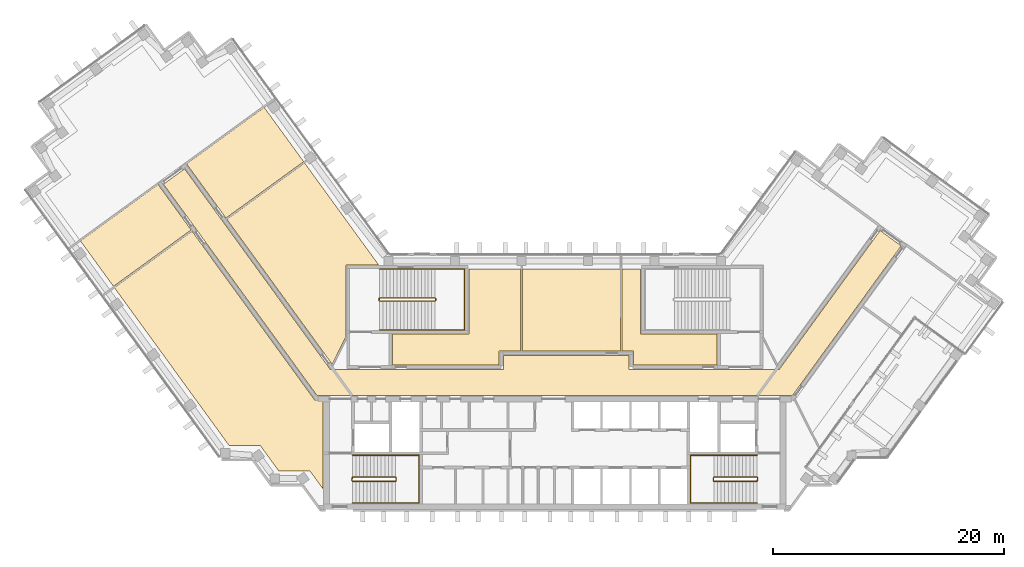
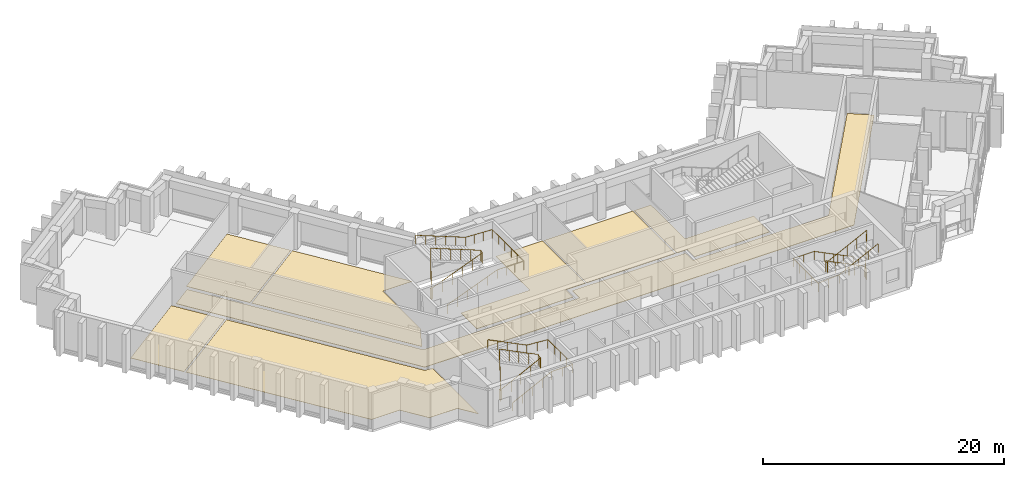
# One storey, part 9 of 10: 8 coverings, 6 railings.
"""IFC4 building model written with IfcOpenShell, lengths in metres."""

from ifc_helpers import new_model, si_unit, direction, frame, origin, origin_2d, place, context, subcontext, project, spatial, polyline, circle, outline, extrude, material, layer, layer_set, type_object, element, save


model = new_model("IFC4")

# Units and contexts
model_context = context("Model", 3, precision=1e-05, world=origin(), true_north=direction((0.0, 1.0)))
body_context = subcontext(model_context, "Body", "Model", "MODEL_VIEW")
ifc_project = project(units=[si_unit("LENGTHUNIT", "METRE"), si_unit("AREAUNIT", "SQUARE_METRE"), si_unit("VOLUMEUNIT", "CUBIC_METRE"), si_unit("PLANEANGLEUNIT", "RADIAN"), si_unit("MASSUNIT", "GRAM", prefix="KILO")], contexts=[model_context])

# Site, building, storey
site_placement = place(None, origin())
site = spatial("IfcSite", under=ifc_project, at=site_placement, CompositionType="ELEMENT")
building_placement = place(site_placement, origin())
building = spatial("IfcBuilding", under=site, at=building_placement, Name="Quipu Civic Tower", CompositionType="ELEMENT")
storey_placement = place(building_placement, frame((0.0, 0.0, 206.0)))
storey = spatial("IfcBuildingStorey", under=building, at=storey_placement, Name="L48", CompositionType="ELEMENT", Elevation=206.0)

# Coverings
ifc_material_1 = material(Name="Carpet tile on raised access floor")
ifc_layer_1 = layer(ifc_material_1, 0.02001953125)
ifc_layer_set_1 = layer_set([ifc_layer_1], Name="Carpet tile on raised access floor")
covering_type_1 = type_object("IfcCoveringType", Name="Carpet tile floor finish 20", PredefinedType="FLOORING", material=ifc_layer_set_1)
covering_1_placement = place(storey_placement, origin())
element("IfcCovering", 1, at=covering_1_placement, inside=storey, type_object=covering_type_1, Name="Carpet tile floor finish 20", PredefinedType="FLOORING", context=body_context, shape_type="SweptSolid", body=[
    extrude(outline(polyline([(-2.80908203125, 2.719970703125), (-2.80908203125, 9.830078125), (5.68798828125, 9.830078125), (5.68798828125, 2.719970703125), (-2.80908203125, 2.719970703125)])), origin(), (0.0, 0.0, 1.0), 0.02001953125),
])
covering_2_placement = place(storey_placement, origin())
element("IfcCovering", 2, at=covering_2_placement, inside=storey, type_object=covering_type_1, Name="Carpet tile floor finish 20", PredefinedType="FLOORING", context=body_context, shape_type="SweptSolid", body=[
    extrude(outline(polyline([(-28.37109375, 14.10888671875), (-21.64794921875, 18.992919921875), (-15.238037109375, 10.169921875), (-18.070068359375, 10.1689453125), (-18.070068359375, 3.94189453125), (-19.27197265625, 1.583984375), (-28.37109375, 14.10888671875)])), origin(), (0.0, 0.0, 1.0), 0.02001953125),
])
covering_3_placement = place(storey_placement, origin())
element("IfcCovering", 3, at=covering_3_placement, inside=storey, type_object=covering_type_1, Name="Carpet tile floor finish 20", PredefinedType="FLOORING", context=body_context, shape_type="SweptSolid", body=[
    extrude(outline(polyline([(-31.865966796875, 18.9189453125), (-25.14306640625, 23.802978515625), (-21.73095703125, 19.10595703125), (-28.4541015625, 14.221923828125), (-31.865966796875, 18.9189453125)])), origin(), (0.0, 0.0, 1.0), 0.02001953125),
])
covering_4_placement = place(storey_placement, origin())
element("IfcCovering", 4, at=covering_4_placement, inside=storey, type_object=covering_type_1, Name="Carpet tile floor finish 20", PredefinedType="FLOORING", context=body_context, shape_type="SweptSolid", body=[
    extrude(outline(polyline([(-38.10693359375, 8.198974609375), (-31.383056640625, 13.08203125), (-20.77490234375, -1.51904296875), (-20.070068359375, -1.52001953125), (-20.070068359375, -9.195068359375), (-21.196044921875, -7.64599609375), (-23.89501953125, -7.64599609375), (-25.48193359375, -5.4619140625), (-28.181884765625, -5.4609375), (-38.10693359375, 8.198974609375)])), origin(), (0.0, 0.0, 1.0), 0.02001953125),
])
covering_5_placement = place(storey_placement, origin())
element("IfcCovering", 5, at=covering_5_placement, inside=storey, type_object=covering_type_1, Name="Carpet tile floor finish 20", PredefinedType="FLOORING", context=body_context, shape_type="SweptSolid", body=[
    extrude(outline(polyline([(-41.048095703125, 12.2470703125), (-34.324951171875, 17.131103515625), (-31.466064453125, 13.195068359375), (-38.18994140625, 8.31201171875), (-41.048095703125, 12.2470703125)])), origin(), (0.0, 0.0, 1.0), 0.02001953125),
])
ifc_material_2 = material(Name="Ceramic floor tile")
ifc_layer_2 = layer(ifc_material_2, 0.030029296875)
ifc_layer_set_2 = layer_set([ifc_layer_2], Name="Ceramic floor tile")
covering_type_2 = type_object("IfcCoveringType", Name="Ceramic tile floor finish 30", PredefinedType="FLOORING", material=ifc_layer_set_2)
covering_6_placement = place(storey_placement, origin())
element("IfcCovering", 6, at=covering_6_placement, inside=storey, type_object=covering_type_2, Name="Ceramic tile floor finish 30", PredefinedType="FLOORING", context=body_context, shape_type="SweptSolid", body=[
    extrude(outline(polyline([(-14.030029296875, 1.52001953125), (-14.030029296875, 4.179931640625), (-7.429931640625, 4.180908203125), (-7.429931640625, 9.830078125), (-2.948974609375, 9.830078125), (-2.948974609375, 2.719970703125), (-4.819091796875, 2.719970703125), (-4.820068359375, 1.52001953125), (-14.030029296875, 1.52001953125)])), origin(), (0.0, 0.0, 1.0), 0.030029296875),
])
covering_7_placement = place(storey_placement, origin())
element("IfcCovering", 7, at=covering_7_placement, inside=storey, type_object=covering_type_2, Name="Ceramic tile floor finish 30", PredefinedType="FLOORING", context=body_context, shape_type="SweptSolid", body=[
    extrude(outline(polyline([(5.827880859375, 2.719970703125), (5.827880859375, 9.830078125), (7.429931640625, 9.830078125), (7.430908203125, 4.179931640625), (14.030029296875, 4.179931640625), (14.030029296875, 1.52001953125), (6.820068359375, 1.52001953125), (6.820068359375, 2.718994140625), (5.827880859375, 2.719970703125)])), origin(), (0.0, 0.0, 1.0), 0.030029296875),
])

# Railings
ifc_material_3 = material(Name="Stainless steel", Category="steel")
railing_type_1 = type_object("IfcRailingType", Name="Stair guard 1100", PredefinedType="GUARDRAIL", material=ifc_material_3)
railing_1_placement = place(storey_placement, frame((-17.5, -8.550048828125, 0.15380859375)))
element("IfcRailing", 8, at=railing_1_placement, inside=storey, type_object=railing_type_1, Name="Stair 1 guard", PredefinedType="GUARDRAIL", context=body_context, shape_type="SweptSolid", body=[
    extrude(circle(Radius=0.02392578125, at=origin_2d()), frame((0.0, 0.0, 1.076171875), z_axis=(0.895751851347, 0.0, 0.444554407028), x_axis=(0.0, 1.0, 0.0)), (0.0, 0.0, 1.0), 4.15283203125),
    extrude(circle(Radius=0.02392578125, at=origin_2d()), frame((3.719970703125, 0.0, 2.92236328125), z_axis=(0.707106781187, 0.707106781187, 0.0), x_axis=(-0.707106781187, 0.707106781187, 0.0)), (0.0, 0.0, 1.0), 0.07080078125),
    extrude(circle(Radius=0.02392578125, at=origin_2d()), frame((3.77001953125, 0.050048828125, 2.92236328125), z_axis=(0.0, 1.0, 0.0), x_axis=(-1.0, 0.0, 0.0)), (0.0, 0.0, 1.0), 0.25),
    extrude(circle(Radius=0.02392578125, at=origin_2d()), frame((3.77001953125, 0.300048828125, 2.92236328125), z_axis=(-0.295599637079, 0.295599637079, 0.908428152975), x_axis=(-0.707106781187, -0.707106781187, 0.0)), (0.0, 0.0, 1.0), 0.16943359375),
    extrude(circle(Radius=0.02392578125, at=origin_2d()), frame((3.719970703125, 0.35009765625, 3.076171875), z_axis=(-0.895751851347, 0.0, 0.444554407028), x_axis=(0.0, -1.0, 0.0)), (0.0, 0.0, 1.0), 4.15283203125),
    extrude(circle(Radius=0.02392578125, at=origin_2d()), frame((0.0, 0.35009765625, 4.92236328125), z_axis=(-0.012476181752, -0.074796231092, -0.997120789425), x_axis=(0.986372223864, -0.164529134168, 0.0)), (0.0, 0.0, 1.0), 4.011474609375),
    extrude(circle(Radius=0.02392578125, at=origin_2d()), frame((-0.050048828125, 0.050048828125, 0.92236328125), z_axis=(0.0, 1.0, 0.0), x_axis=(-1.0, 0.0, 0.0)), (0.0, 0.0, 1.0), 0.25),
    extrude(circle(Radius=0.02099609375, at=origin_2d()), origin(), (0.0, 0.0, 1.0), 1.052001953125),
    extrude(circle(Radius=0.02099609375, at=origin_2d()), frame((0.929931640625, 0.0, 0.46142578125)), (0.0, 0.0, 1.0), 1.052001953125),
    extrude(circle(Radius=0.02099609375, at=origin_2d()), frame((1.85986328125, 0.0, 0.923095703125)), (0.0, 0.0, 1.0), 1.052001953125),
    extrude(circle(Radius=0.02099609375, at=origin_2d()), frame((2.7900390625, 0.0, 1.384765625)), (0.0, 0.0, 1.0), 1.052001953125),
    extrude(circle(Radius=0.02099609375, at=origin_2d()), frame((3.719970703125, 0.0, 1.84619140625)), (0.0, 0.0, 1.0), 1.052001953125),
    extrude(circle(Radius=0.02099609375, at=origin_2d()), frame((3.77001953125, 0.050048828125, 1.84619140625)), (0.0, 0.0, 1.0), 1.052001953125),
    extrude(circle(Radius=0.02099609375, at=origin_2d()), frame((3.77001953125, 0.300048828125, 1.84619140625)), (0.0, 0.0, 1.0), 1.052001953125),
    extrude(circle(Radius=0.02099609375, at=origin_2d()), frame((3.719970703125, 0.35009765625, 2.0)), (0.0, 0.0, 1.0), 1.052001953125),
    extrude(circle(Radius=0.02099609375, at=origin_2d()), frame((2.7900390625, 0.35009765625, 2.46142578125)), (0.0, 0.0, 1.0), 1.052001953125),
    extrude(circle(Radius=0.02099609375, at=origin_2d()), frame((1.85986328125, 0.35009765625, 2.923095703125)), (0.0, 0.0, 1.0), 1.052001953125),
    extrude(circle(Radius=0.02099609375, at=origin_2d()), frame((0.929931640625, 0.35009765625, 3.384765625)), (0.0, 0.0, 1.0), 1.052001953125),
    extrude(circle(Radius=0.02099609375, at=origin_2d()), frame((0.0, 0.35009765625, 3.84619140625)), (0.0, 0.0, 1.0), 1.052001953125),
    extrude(circle(Radius=0.02099609375, at=origin_2d()), frame((-0.012451171875, 0.275146484375, 2.84619140625)), (0.0, 0.0, 1.0), 1.052001953125),
    extrude(circle(Radius=0.02099609375, at=origin_2d()), frame((-0.02490234375, 0.2001953125, 1.84619140625)), (0.0, 0.0, 1.0), 1.052001953125),
    extrude(circle(Radius=0.02099609375, at=origin_2d()), frame((-0.03759765625, 0.125, 0.84619140625)), (0.0, 0.0, 1.0), 1.052001953125),
    extrude(circle(Radius=0.02099609375, at=origin_2d()), frame((-0.050048828125, 0.050048828125, -0.15380859375)), (0.0, 0.0, 1.0), 1.052001953125),
    extrude(circle(Radius=0.02099609375, at=origin_2d()), frame((-0.050048828125, 0.300048828125, -0.15380859375)), (0.0, 0.0, 1.0), 1.052001953125),
])
railing_2_placement = place(storey_placement, frame((17.5, -8.199951171875, 0.15380859375)))
element("IfcRailing", 9, at=railing_2_placement, inside=storey, type_object=railing_type_1, Name="Stair 2 guard", PredefinedType="GUARDRAIL", context=body_context, shape_type="SweptSolid", body=[
    extrude(circle(Radius=0.02392578125, at=origin_2d()), frame((0.0, 0.0, 1.076171875), z_axis=(-0.895751851347, 0.0, 0.444554407028), x_axis=(0.0, -1.0, 0.0)), (0.0, 0.0, 1.0), 4.15283203125),
    extrude(circle(Radius=0.02392578125, at=origin_2d()), frame((-3.719970703125, 0.0, 2.92236328125), z_axis=(-0.707106781187, -0.707106781187, 0.0), x_axis=(0.707106781187, -0.707106781187, 0.0)), (0.0, 0.0, 1.0), 0.07080078125),
    extrude(circle(Radius=0.02392578125, at=origin_2d()), frame((-3.77001953125, -0.050048828125, 2.92236328125), z_axis=(0.0, -1.0, 0.0), x_axis=(1.0, 0.0, 0.0)), (0.0, 0.0, 1.0), 0.25),
    extrude(circle(Radius=0.02392578125, at=origin_2d()), frame((-3.77001953125, -0.300048828125, 2.92236328125), z_axis=(0.295599637079, -0.295599637079, 0.908428152975), x_axis=(0.707106781187, 0.707106781187, 0.0)), (0.0, 0.0, 1.0), 0.16943359375),
    extrude(circle(Radius=0.02392578125, at=origin_2d()), frame((-3.719970703125, -0.35009765625, 3.076171875), z_axis=(0.895751851347, 0.0, 0.444554407028), x_axis=(0.0, 1.0, 0.0)), (0.0, 0.0, 1.0), 4.15283203125),
    extrude(circle(Radius=0.02392578125, at=origin_2d()), frame((0.0, -0.35009765625, 4.92236328125), z_axis=(0.012476181752, 0.074796231092, -0.997120789425), x_axis=(-0.986372223864, 0.164529134168, 0.0)), (0.0, 0.0, 1.0), 4.011474609375),
    extrude(circle(Radius=0.02392578125, at=origin_2d()), frame((0.050048828125, -0.050048828125, 0.92236328125), z_axis=(0.0, -1.0, 0.0), x_axis=(1.0, 0.0, 0.0)), (0.0, 0.0, 1.0), 0.25),
    extrude(circle(Radius=0.02099609375, at=origin_2d()), origin(), (0.0, 0.0, 1.0), 1.052001953125),
    extrude(circle(Radius=0.02099609375, at=origin_2d()), frame((-0.929931640625, 0.0, 0.46142578125)), (0.0, 0.0, 1.0), 1.052001953125),
    extrude(circle(Radius=0.02099609375, at=origin_2d()), frame((-1.85986328125, 0.0, 0.923095703125)), (0.0, 0.0, 1.0), 1.052001953125),
    extrude(circle(Radius=0.02099609375, at=origin_2d()), frame((-2.7900390625, 0.0, 1.384765625)), (0.0, 0.0, 1.0), 1.052001953125),
    extrude(circle(Radius=0.02099609375, at=origin_2d()), frame((-3.719970703125, 0.0, 1.84619140625)), (0.0, 0.0, 1.0), 1.052001953125),
    extrude(circle(Radius=0.02099609375, at=origin_2d()), frame((-3.77001953125, -0.050048828125, 1.84619140625)), (0.0, 0.0, 1.0), 1.052001953125),
    extrude(circle(Radius=0.02099609375, at=origin_2d()), frame((-3.77001953125, -0.300048828125, 1.84619140625)), (0.0, 0.0, 1.0), 1.052001953125),
    extrude(circle(Radius=0.02099609375, at=origin_2d()), frame((-3.719970703125, -0.35009765625, 2.0)), (0.0, 0.0, 1.0), 1.052001953125),
    extrude(circle(Radius=0.02099609375, at=origin_2d()), frame((-2.7900390625, -0.35009765625, 2.46142578125)), (0.0, 0.0, 1.0), 1.052001953125),
    extrude(circle(Radius=0.02099609375, at=origin_2d()), frame((-1.85986328125, -0.35009765625, 2.923095703125)), (0.0, 0.0, 1.0), 1.052001953125),
    extrude(circle(Radius=0.02099609375, at=origin_2d()), frame((-0.929931640625, -0.35009765625, 3.384765625)), (0.0, 0.0, 1.0), 1.052001953125),
    extrude(circle(Radius=0.02099609375, at=origin_2d()), frame((0.0, -0.35009765625, 3.84619140625)), (0.0, 0.0, 1.0), 1.052001953125),
    extrude(circle(Radius=0.02099609375, at=origin_2d()), frame((0.012451171875, -0.275146484375, 2.84619140625)), (0.0, 0.0, 1.0), 1.052001953125),
    extrude(circle(Radius=0.02099609375, at=origin_2d()), frame((0.02490234375, -0.2001953125, 1.84619140625)), (0.0, 0.0, 1.0), 1.052001953125),
    extrude(circle(Radius=0.02099609375, at=origin_2d()), frame((0.03759765625, -0.125, 0.84619140625)), (0.0, 0.0, 1.0), 1.052001953125),
    extrude(circle(Radius=0.02099609375, at=origin_2d()), frame((0.050048828125, -0.050048828125, -0.15380859375)), (0.0, 0.0, 1.0), 1.052001953125),
    extrude(circle(Radius=0.02099609375, at=origin_2d()), frame((0.050048828125, -0.300048828125, -0.15380859375)), (0.0, 0.0, 1.0), 1.052001953125),
])
railing_3_placement = place(storey_placement, frame((-15.14990234375, 7.050048828125, 0.11767578125)))
element("IfcRailing", 10, at=railing_3_placement, inside=storey, type_object=railing_type_1, Name="Stair 3 guard", PredefinedType="GUARDRAIL", context=body_context, shape_type="SweptSolid", body=[
    extrude(circle(Radius=0.02392578125, at=origin_2d()), frame((0.0, 0.0, 1.076171875), z_axis=(0.930970042603, 0.0, 0.365095576219), x_axis=(0.0, 1.0, 0.0)), (0.0, 0.0, 1.0), 5.15576171875),
    extrude(circle(Radius=0.02392578125, at=origin_2d()), frame((4.7998046875, 0.0, 2.95849609375), z_axis=(0.707106781187, 0.707106781187, 0.0), x_axis=(-0.707106781187, 0.707106781187, 0.0)), (0.0, 0.0, 1.0), 0.07080078125),
    extrude(circle(Radius=0.02392578125, at=origin_2d()), frame((4.849853515625, 0.050048828125, 2.95849609375), z_axis=(0.0, 1.0, 0.0), x_axis=(-1.0, 0.0, 0.0)), (0.0, 0.0, 1.0), 0.14990234375),
    extrude(circle(Radius=0.02392578125, at=origin_2d()), frame((4.849853515625, 0.199951171875, 2.95849609375), z_axis=(-0.364463019033, 0.364463019033, 0.856932561824), x_axis=(-0.707106781187, -0.707106781187, 0.0)), (0.0, 0.0, 1.0), 0.13720703125),
    extrude(circle(Radius=0.02392578125, at=origin_2d()), frame((4.7998046875, 0.25, 3.076171875), z_axis=(-0.930970042603, 0.0, 0.365095576219), x_axis=(0.0, -1.0, 0.0)), (0.0, 0.0, 1.0), 5.15576171875),
    extrude(circle(Radius=0.02392578125, at=origin_2d()), frame((0.0, 0.25, 4.95849609375), z_axis=(-0.012495627992, -0.049921557685, -0.998674970829), x_axis=(0.970072785993, -0.242814311512, 0.0)), (0.0, 0.0, 1.0), 4.00537109375),
    extrude(circle(Radius=0.02392578125, at=origin_2d()), frame((-0.050048828125, 0.050048828125, 0.95849609375), z_axis=(0.0, 1.0, 0.0), x_axis=(-1.0, 0.0, 0.0)), (0.0, 0.0, 1.0), 0.14990234375),
    extrude(circle(Radius=0.02099609375, at=origin_2d()), origin(), (0.0, 0.0, 1.0), 1.052001953125),
    extrude(circle(Radius=0.02099609375, at=origin_2d()), frame((0.9599609375, 0.0, 0.37646484375)), (0.0, 0.0, 1.0), 1.052001953125),
    extrude(circle(Radius=0.02099609375, at=origin_2d()), frame((1.919921875, 0.0, 0.7529296875)), (0.0, 0.0, 1.0), 1.052001953125),
    extrude(circle(Radius=0.02099609375, at=origin_2d()), frame((2.8798828125, 0.0, 1.12939453125)), (0.0, 0.0, 1.0), 1.052001953125),
    extrude(circle(Radius=0.02099609375, at=origin_2d()), frame((3.83984375, 0.0, 1.505859375)), (0.0, 0.0, 1.0), 1.052001953125),
    extrude(circle(Radius=0.02099609375, at=origin_2d()), frame((4.7998046875, 0.0, 1.88232421875)), (0.0, 0.0, 1.0), 1.052001953125),
    extrude(circle(Radius=0.02099609375, at=origin_2d()), frame((4.849853515625, 0.050048828125, 1.88232421875)), (0.0, 0.0, 1.0), 1.052001953125),
    extrude(circle(Radius=0.02099609375, at=origin_2d()), frame((4.849853515625, 0.199951171875, 1.88232421875)), (0.0, 0.0, 1.0), 1.052001953125),
    extrude(circle(Radius=0.02099609375, at=origin_2d()), frame((4.7998046875, 0.25, 2.0)), (0.0, 0.0, 1.0), 1.052001953125),
    extrude(circle(Radius=0.02099609375, at=origin_2d()), frame((3.83984375, 0.25, 2.37646484375)), (0.0, 0.0, 1.0), 1.052001953125),
    extrude(circle(Radius=0.02099609375, at=origin_2d()), frame((2.8798828125, 0.25, 2.7529296875)), (0.0, 0.0, 1.0), 1.052001953125),
    extrude(circle(Radius=0.02099609375, at=origin_2d()), frame((1.919921875, 0.25, 3.12939453125)), (0.0, 0.0, 1.0), 1.052001953125),
    extrude(circle(Radius=0.02099609375, at=origin_2d()), frame((0.9599609375, 0.25, 3.505859375)), (0.0, 0.0, 1.0), 1.052001953125),
    extrude(circle(Radius=0.02099609375, at=origin_2d()), frame((0.0, 0.25, 3.88232421875)), (0.0, 0.0, 1.0), 1.052001953125),
    extrude(circle(Radius=0.02099609375, at=origin_2d()), frame((-0.012451171875, 0.199951171875, 2.88232421875)), (0.0, 0.0, 1.0), 1.052001953125),
    extrude(circle(Radius=0.02099609375, at=origin_2d()), frame((-0.02490234375, 0.14990234375, 1.88232421875)), (0.0, 0.0, 1.0), 1.052001953125),
    extrude(circle(Radius=0.02099609375, at=origin_2d()), frame((-0.03759765625, 0.10009765625, 0.88232421875)), (0.0, 0.0, 1.0), 1.052001953125),
    extrude(circle(Radius=0.02099609375, at=origin_2d()), frame((-0.050048828125, 0.050048828125, -0.11767578125)), (0.0, 0.0, 1.0), 1.052001953125),
    extrude(circle(Radius=0.02099609375, at=origin_2d()), frame((-0.050048828125, 0.199951171875, -0.11767578125)), (0.0, 0.0, 1.0), 1.052001953125),
])
ifc_material_4 = material(Name="Stainless steel", Category="steel")
railing_type_2 = type_object("IfcRailingType", Name="Stair handrail", PredefinedType="HANDRAIL", material=ifc_material_4)
railing_4_placement = place(storey_placement, frame((-17.5, -10.449951171875, 0.15380859375)))
element("IfcRailing", 11, at=railing_4_placement, inside=storey, type_object=railing_type_2, Name="Stair 1 handrail", PredefinedType="HANDRAIL", context=body_context, shape_type="SweptSolid", body=[
    extrude(circle(Radius=0.02392578125, at=origin_2d()), frame((0.0, 0.0, 0.8759765625), z_axis=(0.895751851347, 0.0, 0.444554407028), x_axis=(0.0, 1.0, 0.0)), (0.0, 0.0, 1.0), 4.15283203125),
    extrude(circle(Radius=0.02392578125, at=origin_2d()), frame((3.719970703125, 0.0, 2.72216796875), z_axis=(1.0, 0.0, 0.0), x_axis=(0.0, 1.0, 0.0)), (0.0, 0.0, 1.0), 2.030029296875),
    extrude(circle(Radius=0.02392578125, at=origin_2d()), frame((5.75, 0.0, 2.72216796875), z_axis=(0.0, 1.0, 0.0), x_axis=(-1.0, 0.0, 0.0)), (0.0, 0.0, 1.0), 4.14990234375),
    extrude(circle(Radius=0.02392578125, at=origin_2d()), frame((5.75, 4.14990234375, 2.72216796875), z_axis=(-0.997142003663, 0.0, 0.075550145798), x_axis=(0.0, -1.0, 0.0)), (0.0, 0.0, 1.0), 2.035888671875),
    extrude(circle(Radius=0.02392578125, at=origin_2d()), frame((3.719970703125, 4.14990234375, 2.8759765625), z_axis=(-0.895751851347, 0.0, 0.444554407028), x_axis=(0.0, -1.0, 0.0)), (0.0, 0.0, 1.0), 4.15283203125),
    extrude(circle(Radius=0.02099609375, at=origin_2d()), origin(), (0.0, 0.0, 1.0), 0.851806640625),
    extrude(circle(Radius=0.02099609375, at=origin_2d()), frame((0.929931640625, 0.0, 0.46142578125)), (0.0, 0.0, 1.0), 0.851806640625),
    extrude(circle(Radius=0.02099609375, at=origin_2d()), frame((1.85986328125, 0.0, 0.923095703125)), (0.0, 0.0, 1.0), 0.851806640625),
    extrude(circle(Radius=0.02099609375, at=origin_2d()), frame((2.7900390625, 0.0, 1.384765625)), (0.0, 0.0, 1.0), 0.851806640625),
    extrude(circle(Radius=0.02099609375, at=origin_2d()), frame((3.719970703125, 0.0, 1.84619140625)), (0.0, 0.0, 1.0), 0.851806640625),
    extrude(circle(Radius=0.02099609375, at=origin_2d()), frame((4.73486328125, 0.0, 1.84619140625)), (0.0, 0.0, 1.0), 0.851806640625),
    extrude(circle(Radius=0.02099609375, at=origin_2d()), frame((5.75, 0.0, 1.84619140625)), (0.0, 0.0, 1.0), 0.851806640625),
    extrude(circle(Radius=0.02099609375, at=origin_2d()), frame((5.75, 1.03759765625, 1.84619140625)), (0.0, 0.0, 1.0), 0.851806640625),
    extrude(circle(Radius=0.02099609375, at=origin_2d()), frame((5.75, 2.074951171875, 1.84619140625)), (0.0, 0.0, 1.0), 0.851806640625),
    extrude(circle(Radius=0.02099609375, at=origin_2d()), frame((5.75, 3.1123046875, 1.84619140625)), (0.0, 0.0, 1.0), 0.851806640625),
    extrude(circle(Radius=0.02099609375, at=origin_2d()), frame((5.75, 4.14990234375, 1.84619140625)), (0.0, 0.0, 1.0), 0.851806640625),
    extrude(circle(Radius=0.02099609375, at=origin_2d()), frame((4.73486328125, 4.14990234375, 1.923095703125)), (0.0, 0.0, 1.0), 0.851806640625),
    extrude(circle(Radius=0.02099609375, at=origin_2d()), frame((3.719970703125, 4.14990234375, 2.0)), (0.0, 0.0, 1.0), 0.851806640625),
    extrude(circle(Radius=0.02099609375, at=origin_2d()), frame((2.7900390625, 4.14990234375, 2.46142578125)), (0.0, 0.0, 1.0), 0.851806640625),
    extrude(circle(Radius=0.02099609375, at=origin_2d()), frame((1.85986328125, 4.14990234375, 2.923095703125)), (0.0, 0.0, 1.0), 0.851806640625),
    extrude(circle(Radius=0.02099609375, at=origin_2d()), frame((0.929931640625, 4.14990234375, 3.384765625)), (0.0, 0.0, 1.0), 0.851806640625),
    extrude(circle(Radius=0.02099609375, at=origin_2d()), frame((0.0, 4.14990234375, 3.84619140625)), (0.0, 0.0, 1.0), 0.851806640625),
])
railing_5_placement = place(storey_placement, frame((17.5, -6.300048828125, 0.15380859375)))
element("IfcRailing", 12, at=railing_5_placement, inside=storey, type_object=railing_type_2, Name="Stair 2 handrail", PredefinedType="HANDRAIL", context=body_context, shape_type="SweptSolid", body=[
    extrude(circle(Radius=0.02392578125, at=origin_2d()), frame((0.0, 0.0, 0.8759765625), z_axis=(-0.895751851347, 0.0, 0.444554407028), x_axis=(0.0, -1.0, 0.0)), (0.0, 0.0, 1.0), 4.15283203125),
    extrude(circle(Radius=0.02392578125, at=origin_2d()), frame((-3.719970703125, 0.0, 2.72216796875), z_axis=(-1.0, 0.0, 0.0), x_axis=(0.0, -1.0, 0.0)), (0.0, 0.0, 1.0), 2.030029296875),
    extrude(circle(Radius=0.02392578125, at=origin_2d()), frame((-5.75, 0.0, 2.72216796875), z_axis=(0.0, -1.0, 0.0), x_axis=(1.0, 0.0, 0.0)), (0.0, 0.0, 1.0), 4.14990234375),
    extrude(circle(Radius=0.02392578125, at=origin_2d()), frame((-5.75, -4.14990234375, 2.72216796875), z_axis=(0.997142003663, 0.0, 0.075550145798), x_axis=(0.0, 1.0, 0.0)), (0.0, 0.0, 1.0), 2.035888671875),
    extrude(circle(Radius=0.02392578125, at=origin_2d()), frame((-3.719970703125, -4.14990234375, 2.8759765625), z_axis=(0.895751851347, 0.0, 0.444554407028), x_axis=(0.0, 1.0, 0.0)), (0.0, 0.0, 1.0), 4.15283203125),
    extrude(circle(Radius=0.02099609375, at=origin_2d()), origin(), (0.0, 0.0, 1.0), 0.851806640625),
    extrude(circle(Radius=0.02099609375, at=origin_2d()), frame((-0.929931640625, 0.0, 0.46142578125)), (0.0, 0.0, 1.0), 0.851806640625),
    extrude(circle(Radius=0.02099609375, at=origin_2d()), frame((-1.85986328125, 0.0, 0.923095703125)), (0.0, 0.0, 1.0), 0.851806640625),
    extrude(circle(Radius=0.02099609375, at=origin_2d()), frame((-2.7900390625, 0.0, 1.384765625)), (0.0, 0.0, 1.0), 0.851806640625),
    extrude(circle(Radius=0.02099609375, at=origin_2d()), frame((-3.719970703125, 0.0, 1.84619140625)), (0.0, 0.0, 1.0), 0.851806640625),
    extrude(circle(Radius=0.02099609375, at=origin_2d()), frame((-4.73486328125, 0.0, 1.84619140625)), (0.0, 0.0, 1.0), 0.851806640625),
    extrude(circle(Radius=0.02099609375, at=origin_2d()), frame((-5.75, 0.0, 1.84619140625)), (0.0, 0.0, 1.0), 0.851806640625),
    extrude(circle(Radius=0.02099609375, at=origin_2d()), frame((-5.75, -1.03759765625, 1.84619140625)), (0.0, 0.0, 1.0), 0.851806640625),
    extrude(circle(Radius=0.02099609375, at=origin_2d()), frame((-5.75, -2.074951171875, 1.84619140625)), (0.0, 0.0, 1.0), 0.851806640625),
    extrude(circle(Radius=0.02099609375, at=origin_2d()), frame((-5.75, -3.1123046875, 1.84619140625)), (0.0, 0.0, 1.0), 0.851806640625),
    extrude(circle(Radius=0.02099609375, at=origin_2d()), frame((-5.75, -4.14990234375, 1.84619140625)), (0.0, 0.0, 1.0), 0.851806640625),
    extrude(circle(Radius=0.02099609375, at=origin_2d()), frame((-4.73486328125, -4.14990234375, 1.923095703125)), (0.0, 0.0, 1.0), 0.851806640625),
    extrude(circle(Radius=0.02099609375, at=origin_2d()), frame((-3.719970703125, -4.14990234375, 2.0)), (0.0, 0.0, 1.0), 0.851806640625),
    extrude(circle(Radius=0.02099609375, at=origin_2d()), frame((-2.7900390625, -4.14990234375, 2.46142578125)), (0.0, 0.0, 1.0), 0.851806640625),
    extrude(circle(Radius=0.02099609375, at=origin_2d()), frame((-1.85986328125, -4.14990234375, 2.923095703125)), (0.0, 0.0, 1.0), 0.851806640625),
    extrude(circle(Radius=0.02099609375, at=origin_2d()), frame((-0.929931640625, -4.14990234375, 3.384765625)), (0.0, 0.0, 1.0), 0.851806640625),
    extrude(circle(Radius=0.02099609375, at=origin_2d()), frame((0.0, -4.14990234375, 3.84619140625)), (0.0, 0.0, 1.0), 0.851806640625),
])
railing_6_placement = place(storey_placement, frame((-15.14990234375, 4.550048828125, 0.11767578125)))
element("IfcRailing", 13, at=railing_6_placement, inside=storey, type_object=railing_type_2, Name="Stair 3 handrail", PredefinedType="HANDRAIL", context=body_context, shape_type="SweptSolid", body=[
    extrude(circle(Radius=0.02392578125, at=origin_2d()), frame((0.0, 0.0, 0.8759765625), z_axis=(0.930970042603, 0.0, 0.365095576219), x_axis=(0.0, 1.0, 0.0)), (0.0, 0.0, 1.0), 5.15576171875),
    extrude(circle(Radius=0.02392578125, at=origin_2d()), frame((4.7998046875, 0.0, 2.75830078125), z_axis=(1.0, 0.0, 0.0), x_axis=(0.0, 1.0, 0.0)), (0.0, 0.0, 1.0), 2.550048828125),
    extrude(circle(Radius=0.02392578125, at=origin_2d()), frame((7.349853515625, 0.0, 2.75830078125), z_axis=(0.0, 1.0, 0.0), x_axis=(-1.0, 0.0, 0.0)), (0.0, 0.0, 1.0), 5.25),
    extrude(circle(Radius=0.02392578125, at=origin_2d()), frame((7.349853515625, 5.25, 2.75830078125), z_axis=(-0.998936948642, 0.0, 0.04609742549), x_axis=(0.0, -1.0, 0.0)), (0.0, 0.0, 1.0), 2.552734375),
    extrude(circle(Radius=0.02392578125, at=origin_2d()), frame((4.7998046875, 5.25, 2.8759765625), z_axis=(-0.930970042603, 0.0, 0.365095576219), x_axis=(0.0, -1.0, 0.0)), (0.0, 0.0, 1.0), 5.15576171875),
    extrude(circle(Radius=0.02099609375, at=origin_2d()), origin(), (0.0, 0.0, 1.0), 0.851806640625),
    extrude(circle(Radius=0.02099609375, at=origin_2d()), frame((0.9599609375, 0.0, 0.37646484375)), (0.0, 0.0, 1.0), 0.851806640625),
    extrude(circle(Radius=0.02099609375, at=origin_2d()), frame((1.919921875, 0.0, 0.7529296875)), (0.0, 0.0, 1.0), 0.851806640625),
    extrude(circle(Radius=0.02099609375, at=origin_2d()), frame((2.8798828125, 0.0, 1.12939453125)), (0.0, 0.0, 1.0), 0.851806640625),
    extrude(circle(Radius=0.02099609375, at=origin_2d()), frame((3.83984375, 0.0, 1.505859375)), (0.0, 0.0, 1.0), 0.851806640625),
    extrude(circle(Radius=0.02099609375, at=origin_2d()), frame((4.7998046875, 0.0, 1.88232421875)), (0.0, 0.0, 1.0), 0.851806640625),
    extrude(circle(Radius=0.02099609375, at=origin_2d()), frame((5.64990234375, 0.0, 1.88232421875)), (0.0, 0.0, 1.0), 0.851806640625),
    extrude(circle(Radius=0.02099609375, at=origin_2d()), frame((6.499755859375, 0.0, 1.88232421875)), (0.0, 0.0, 1.0), 0.851806640625),
    extrude(circle(Radius=0.02099609375, at=origin_2d()), frame((7.349853515625, 0.0, 1.88232421875)), (0.0, 0.0, 1.0), 0.851806640625),
    extrude(circle(Radius=0.02099609375, at=origin_2d()), frame((7.349853515625, 1.050048828125, 1.88232421875)), (0.0, 0.0, 1.0), 0.851806640625),
    extrude(circle(Radius=0.02099609375, at=origin_2d()), frame((7.349853515625, 2.10009765625, 1.88232421875)), (0.0, 0.0, 1.0), 0.851806640625),
    extrude(circle(Radius=0.02099609375, at=origin_2d()), frame((7.349853515625, 3.14990234375, 1.88232421875)), (0.0, 0.0, 1.0), 0.851806640625),
    extrude(circle(Radius=0.02099609375, at=origin_2d()), frame((7.349853515625, 4.199951171875, 1.88232421875)), (0.0, 0.0, 1.0), 0.851806640625),
    extrude(circle(Radius=0.02099609375, at=origin_2d()), frame((7.349853515625, 5.25, 1.88232421875)), (0.0, 0.0, 1.0), 0.851806640625),
    extrude(circle(Radius=0.02099609375, at=origin_2d()), frame((6.499755859375, 5.25, 1.921630859375)), (0.0, 0.0, 1.0), 0.851806640625),
    extrude(circle(Radius=0.02099609375, at=origin_2d()), frame((5.64990234375, 5.25, 1.960693359375)), (0.0, 0.0, 1.0), 0.851806640625),
    extrude(circle(Radius=0.02099609375, at=origin_2d()), frame((4.7998046875, 5.25, 2.0)), (0.0, 0.0, 1.0), 0.851806640625),
    extrude(circle(Radius=0.02099609375, at=origin_2d()), frame((3.83984375, 5.25, 2.37646484375)), (0.0, 0.0, 1.0), 0.851806640625),
    extrude(circle(Radius=0.02099609375, at=origin_2d()), frame((2.8798828125, 5.25, 2.7529296875)), (0.0, 0.0, 1.0), 0.851806640625),
    extrude(circle(Radius=0.02099609375, at=origin_2d()), frame((1.919921875, 5.25, 3.12939453125)), (0.0, 0.0, 1.0), 0.851806640625),
    extrude(circle(Radius=0.02099609375, at=origin_2d()), frame((0.9599609375, 5.25, 3.505859375)), (0.0, 0.0, 1.0), 0.851806640625),
    extrude(circle(Radius=0.02099609375, at=origin_2d()), frame((0.0, 5.25, 3.88232421875)), (0.0, 0.0, 1.0), 0.851806640625),
])

# Covering
ifc_material_5 = material(Name="Terrazzo floor finish")
ifc_layer_3 = layer(ifc_material_5, 0.0400390625)
ifc_layer_set_3 = layer_set([ifc_layer_3], Name="Terrazzo floor finish")
covering_type_3 = type_object("IfcCoveringType", Name="Terrazzo floor finish 40", PredefinedType="FLOORING", material=ifc_layer_set_3)
covering_8_placement = place(storey_placement, origin())
element("IfcCovering", 14, at=covering_8_placement, inside=storey, type_object=covering_type_3, Name="Terrazzo floor finish 40", PredefinedType="FLOORING", context=body_context, shape_type="SweptSolid", body=[
    extrude(outline(polyline([(19.425048828125, 1.1298828125), (28.155029296875, 13.14697265625), (29.98291015625, 11.819091796875), (20.574951171875, -1.1298828125), (-20.574951171875, -1.1298828125), (-33.863037109375, 17.158935546875), (-32.033935546875, 18.487060546875), (-19.425048828125, 1.1298828125), (-4.429931640625, 1.1298828125), (-4.429931640625, 2.330078125), (6.429931640625, 2.330078125), (6.429931640625, 1.1298828125), (19.425048828125, 1.1298828125)])), origin(), (0.0, 0.0, 1.0), 0.0400390625),
])

save(model, "model.ifc")
